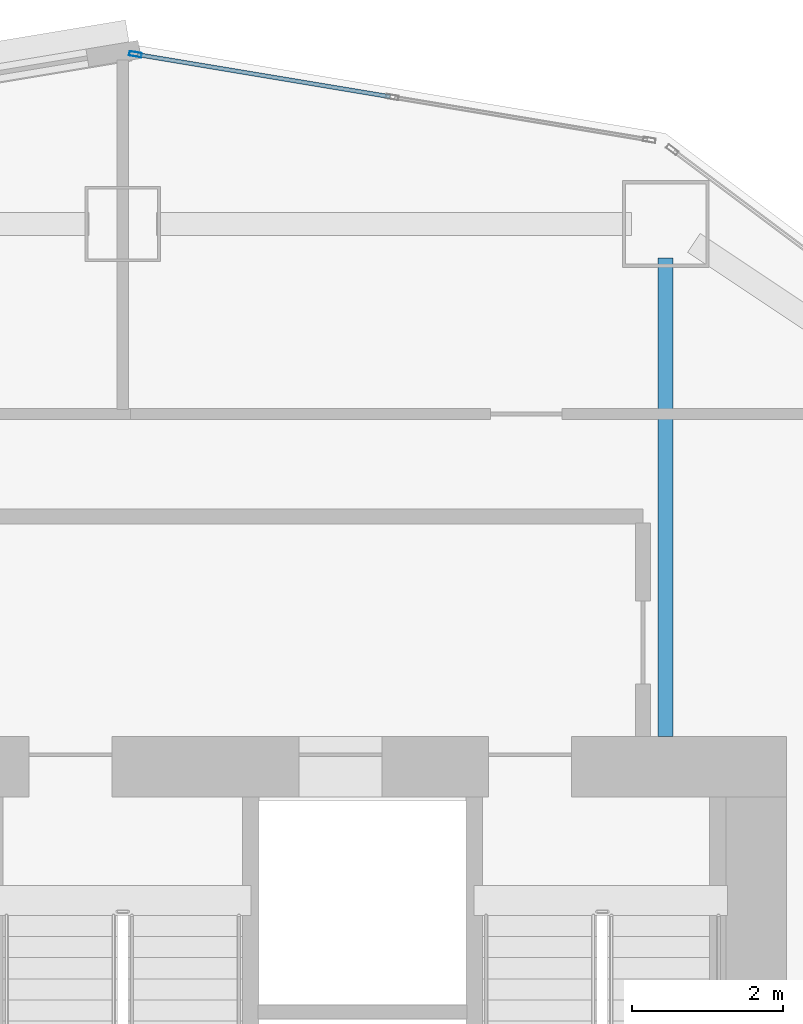
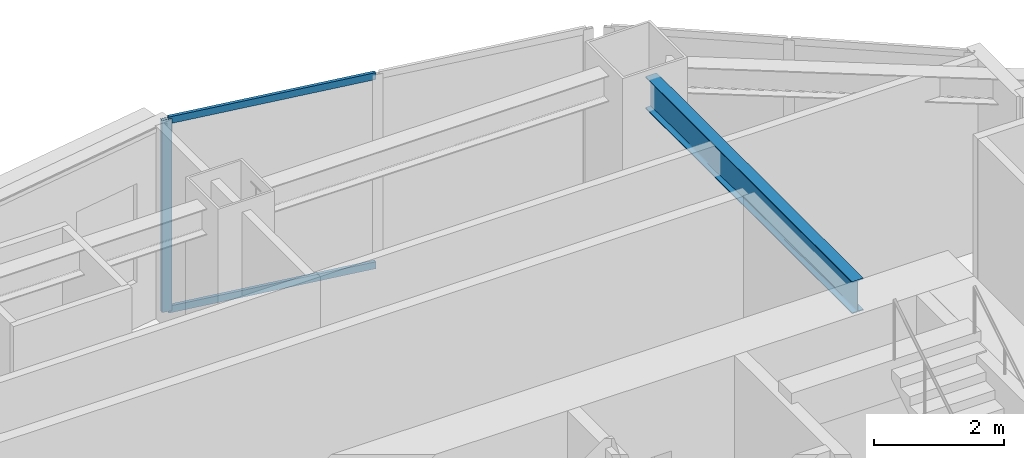
# One storey, part 2 of 17: 3 members, 1 beam, 1 element without a shape of its own.
"""IFC4 building model written with IfcOpenShell, lengths in metres."""

from ifc_helpers import new_model, si_unit, direction, frame, origin, origin_2d, place, context, subcontext, project, spatial, hollow_rectangle, i_section, extrude, material, layer, layer_set, material_profile, profile_set, type_object, element, aggregate, save


model = new_model("IFC4")

# Units and contexts
model_context = context("Model", 3, precision=1e-05, world=origin(), true_north=direction((0.0, 1.0)))
body_context = subcontext(model_context, "Body", "Model", "MODEL_VIEW")
ifc_project = project(units=[si_unit("LENGTHUNIT", "METRE"), si_unit("AREAUNIT", "SQUARE_METRE"), si_unit("VOLUMEUNIT", "CUBIC_METRE"), si_unit("PLANEANGLEUNIT", "RADIAN"), si_unit("MASSUNIT", "GRAM", prefix="KILO")], contexts=[model_context])

# Site, building, storey
site_placement = place(None, origin())
site = spatial("IfcSite", under=ifc_project, at=site_placement, CompositionType="ELEMENT")
building_placement = place(site_placement, origin())
building = spatial("IfcBuilding", under=site, at=building_placement, Name="Haolan Belvedere Tower", CompositionType="ELEMENT")
storey_placement = place(building_placement, frame((0.0, 0.0, 81.800048828125)))
storey = spatial("IfcBuildingStorey", under=building, at=storey_placement, Name="L20", CompositionType="ELEMENT", Elevation=81.800048828125)

# Beam
ifc_material_1 = material(Name="Steel Q355B", Category="steel")
ifc_material_profile_1 = material_profile(ifc_material_1, i_section(OverallWidth=0.199951171875, OverallDepth=0.60009765625, WebThickness=0.010986328125, FlangeThickness=0.01708984375, FilletRadius=0.02197265625, at=origin_2d()), Name="Steel Q355B")
ifc_profile_set_1 = profile_set([ifc_material_profile_1], Name="Steel Q355B")
beam_type = type_object("IfcBeamType", Name="BM-HN600x200x11x17", PredefinedType="BEAM", material=ifc_profile_set_1)
beam_placement = place(storey_placement, frame((45.60009765625, 49.949951171875, 3.300048828125), z_axis=(0.0, -1.0, 0.0), x_axis=(1.0, 0.0, 0.0)))
element("IfcBeam", 1, at=beam_placement, inside=storey, type_object=beam_type, Name="L20 core tie beam from MC-T3-N2", PredefinedType="BEAM", context=body_context, shape_type="SweptSolid", body=[
    extrude(i_section(OverallWidth=0.199951171875, OverallDepth=0.60009765625, WebThickness=0.010986328125, FlangeThickness=0.01708984375, FilletRadius=0.02197265625, at=origin_2d()), origin(), (0.0, 0.0, 1.0), 6.349853515625),
])

# Curtain wall, members
ifc_material_2 = material(Name="Anodised champagne-silver aluminium 6063-T6 and Low-E glass", Category="aluminium")
ifc_layer = layer(ifc_material_2, 0.1650390625, Name="Anodised champagne-silver aluminium 6063-T6 and Low-E glass")
ifc_layer_set = layer_set([ifc_layer], Name="Anodised champagne-silver aluminium 6063-T6 and Low-E glass")
curtain_wall_type = type_object("IfcCurtainWallType", Name="CW-SYS-02", PredefinedType="NOTDEFINED", material=ifc_layer_set)
curtain_wall_placement = place(storey_placement, origin())
curtain_wall = element("IfcCurtainWall", 2, at=curtain_wall_placement, inside=storey, type_object=curtain_wall_type, Name="L20 CW-SYS-02 ribbon curtain wall 42.1", PredefinedType="NOTDEFINED")
ifc_material_3 = material(Name="Anodised aluminium 6063-T6", Category="aluminium")
ifc_material_profile_2 = material_profile(ifc_material_3, hollow_rectangle(XDim=0.06005859375, YDim=0.1650390625, WallThickness=0.00390625, at=origin_2d()), Name="Anodised aluminium 6063-T6")
ifc_profile_set_2 = profile_set([ifc_material_profile_2], Name="Anodised aluminium 6063-T6")
member_type_1 = type_object("IfcMemberType", Name="CW-SYS-02-MUL", PredefinedType="MULLION", material=ifc_profile_set_2)
member_1_placement = place(storey_placement, frame((38.567626953125, 52.650390625, 0.0), z_axis=(0.0, 0.0, 1.0), x_axis=(-0.16440364043, -0.9863931483, 0.0)))
member_1 = element("IfcMember", 3, at=member_1_placement, type_object=member_type_1, Name="CW-02 mullion 3", PredefinedType="MULLION", context=body_context, shape_type="SweptSolid", body=[
    extrude(hollow_rectangle(XDim=0.06005859375, YDim=0.1650390625, WallThickness=0.00390625, at=origin_2d()), origin(), (0.0, 0.0, 1.0), 3.599853515625),
])
ifc_material_profile_3 = material_profile(ifc_material_3, hollow_rectangle(XDim=0.054931640625, YDim=0.1298828125, WallThickness=0.00390625, at=origin_2d()), Name="Anodised aluminium 6063-T6")
ifc_profile_set_3 = profile_set([ifc_material_profile_3], Name="Anodised aluminium 6063-T6")
member_type_2 = type_object("IfcMemberType", Name="CW-SYS-02-TRN", PredefinedType="USERDEFINED", material=ifc_profile_set_3)
member_2_placement = place(storey_placement, frame((41.946044921875, 52.08740234375, 0.02734375), z_axis=(-0.986395867289, 0.164387326137, 0.0), x_axis=(-0.164387326137, -0.986395867289, 0.0)))
member_2 = element("IfcMember", 4, at=member_2_placement, type_object=member_type_2, Name="CW-02 transom 2.1", ObjectType="TRANSOM", PredefinedType="USERDEFINED", context=body_context, shape_type="SweptSolid", body=[
    extrude(hollow_rectangle(XDim=0.054931640625, YDim=0.1298828125, WallThickness=0.00390625, at=origin_2d()), origin(), (0.0, 0.0, 1.0), 3.39501953125),
])
member_3_placement = place(storey_placement, frame((41.946044921875, 52.08740234375, 3.572509765625), z_axis=(-0.986395867289, 0.164387326137, 0.0), x_axis=(-0.164387326137, -0.986395867289, 0.0)))
member_3 = element("IfcMember", 5, at=member_3_placement, type_object=member_type_2, Name="CW-02 transom 2.2", ObjectType="TRANSOM", PredefinedType="USERDEFINED", context=body_context, shape_type="SweptSolid", body=[
    extrude(hollow_rectangle(XDim=0.054931640625, YDim=0.1298828125, WallThickness=0.00390625, at=origin_2d()), origin(), (0.0, 0.0, 1.0), 3.39501953125),
])
aggregate(curtain_wall, [member_1, member_2, member_3])

save(model, "model.ifc")
